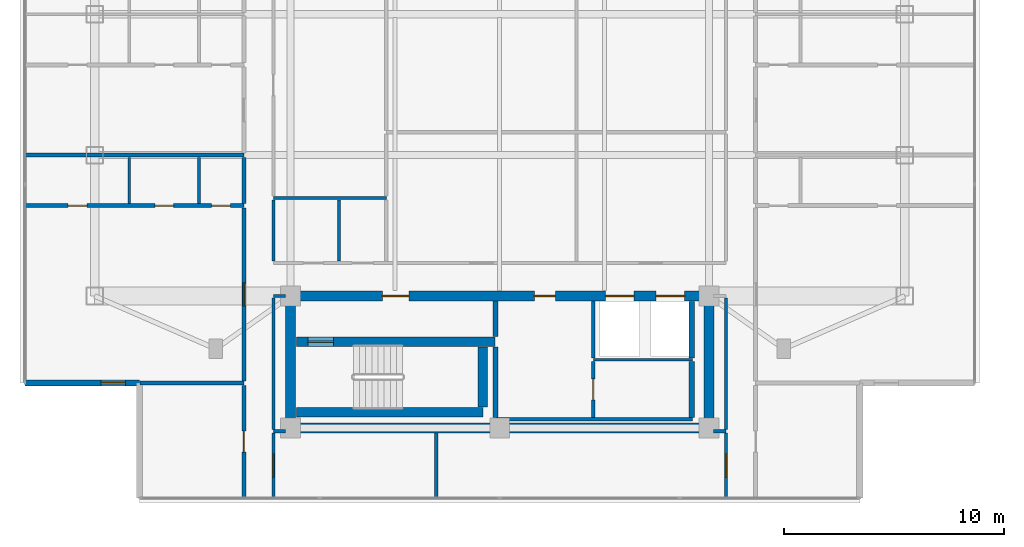
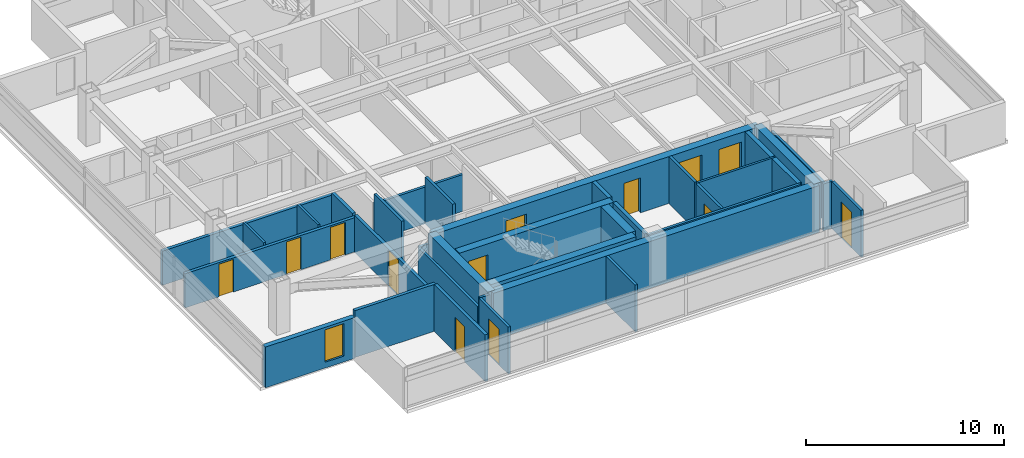
# One storey, part 10 of 17: 35 walls, 13 doors, 1 window, 14 openings.
"""IFC4 building model written with IfcOpenShell, lengths in metres."""

from ifc_helpers import new_model, si_unit, direction, frame, frame_2d, origin, place, context, subcontext, project, spatial, rectangle, extrude, material, layer, layer_set, type_object, element, fill, save


model = new_model("IFC4")

# Units and contexts
model_context = context("Model", 3, precision=1e-05, world=origin(), true_north=direction((0.0, 1.0)))
body_context = subcontext(model_context, "Body", "Model", "MODEL_VIEW")
ifc_project = project(units=[si_unit("LENGTHUNIT", "METRE"), si_unit("AREAUNIT", "SQUARE_METRE"), si_unit("VOLUMEUNIT", "CUBIC_METRE"), si_unit("PLANEANGLEUNIT", "RADIAN"), si_unit("MASSUNIT", "GRAM", prefix="KILO")], contexts=[model_context])

# Site, building, storey
site_placement = place(None, origin())
site = spatial("IfcSite", under=ifc_project, at=site_placement, CompositionType="ELEMENT")
building_placement = place(site_placement, origin())
building = spatial("IfcBuilding", under=site, at=building_placement, Name="Mirazonda Arch Towers", CompositionType="ELEMENT")
storey_placement = place(building_placement, frame((0.0, 0.0, 209.64990234375)))
storey = spatial("IfcBuildingStorey", under=building, at=storey_placement, Name="L60", CompositionType="ELEMENT", Elevation=209.64990234375)

# Walls
ifc_material_1 = material(Name="Concrete C50/60", Category="concrete")
ifc_layer_1 = layer(ifc_material_1, 0.449951171875, Name="WALL-CORE-450")
ifc_layer_set_1 = layer_set([ifc_layer_1], Name="Concrete C50/60")
wall_type_1 = type_object("IfcWallType", Name="WALL-CORE-450", PredefinedType="SHEAR", material=ifc_layer_set_1)
wall_1_placement = place(storey_placement, frame((11.0, 12.39990234375, 0.0), z_axis=(0.0, 0.0, 1.0), x_axis=(1.0, 0.0, 0.0)))
element("IfcWall", 1, at=wall_1_placement, inside=storey, type_object=wall_type_1, Name="L60 T1S-S Core Shear Wall", PredefinedType="SHEAR", context=body_context, shape_type="SweptSolid", body=[
    extrude(rectangle(XDim=19.0, YDim=0.449951171875, at=frame_2d((9.5, 0.0))), origin(), (0.0, 0.0, 1.0), 2.89013671875),
])
for number, where, z_axis, x_axis, name in (
    (2, (11.0, 12.39990234375, 0.0), (0.0, 0.0, 1.0), (0.0, 1.0, 0.0), "L60 T1S-W Core Shear Wall"),
    (3, (30.0, 12.39990234375, 0.0), (0.0, 0.0, 1.0), (0.0, 1.0, 0.0), "L60 T1S-E Core Shear Wall"),
):
    element("IfcWall", number, at=place(storey_placement, frame(where, z_axis=z_axis, x_axis=x_axis)), inside=storey, type_object=wall_type_1, Name=name, PredefinedType="SHEAR", context=body_context, shape_type="SweptSolid", body=[
        extrude(rectangle(XDim=6.0, YDim=0.449951171875, at=frame_2d((3.0, 0.0))), origin(), (0.0, 0.0, 1.0), 2.89013671875),
    ])

# Wall, openings, doors
wall_2_placement = place(storey_placement, frame((11.0, 18.39990234375, 0.0), z_axis=(0.0, 0.0, 1.0), x_axis=(1.0, 0.0, 0.0)))
wall_2 = element("IfcWall", 4, at=wall_2_placement, inside=storey, type_object=wall_type_1, Name="L60 T1S-N Core Shear Wall", PredefinedType="SHEAR", context=body_context, shape_type="SweptSolid", body=[
    extrude(rectangle(XDim=19.0, YDim=0.449951171875, at=frame_2d((9.5, 0.0))), origin(), (0.0, 0.0, 1.0), 2.89013671875),
])
opening_1_placement = place(wall_2_placement, frame((4.175048828125, 0.0, 0.0)))
opening_1 = element("IfcOpeningElement", 5, at=opening_1_placement, cuts=wall_2, Name="Opening DR-117", PredefinedType="OPENING", context=body_context, shape_type="SweptSolid", body=[
    extrude(rectangle(XDim=1.199951171875, YDim=2.25, at=frame_2d((0.60009765625, 1.125))), frame((0.0, 0.23486328125, 0.0), z_axis=(0.0, -1.0, 0.0), x_axis=(1.0, 0.0, 0.0)), (0.0, 0.0, 1.0), 0.469970703125),
])
opening_2_placement = place(wall_2_placement, frame((11.074951171875, 0.0, 0.0)))
opening_2 = element("IfcOpeningElement", 6, at=opening_2_placement, cuts=wall_2, Name="Opening DR-104", PredefinedType="OPENING", context=body_context, shape_type="SweptSolid", body=[
    extrude(rectangle(XDim=0.949951171875, YDim=2.14990234375, at=frame_2d((0.47509765625, 1.074951171875))), frame((0.0, 0.23486328125, 0.0), z_axis=(0.0, -1.0, 0.0), x_axis=(1.0, 0.0, 0.0)), (0.0, 0.0, 1.0), 0.469970703125),
])
opening_3_placement = place(wall_2_placement, frame((14.300048828125, 0.0, 0.0)))
opening_3 = element("IfcOpeningElement", 7, at=opening_3_placement, cuts=wall_2, Name="Opening LD-111", PredefinedType="OPENING", context=body_context, shape_type="SweptSolid", body=[
    extrude(rectangle(XDim=1.300048828125, YDim=2.300048828125, at=frame_2d((0.64990234375, 1.14990234375))), frame((0.0, 0.23486328125, 0.0), z_axis=(0.0, -1.0, 0.0), x_axis=(1.0, 0.0, 0.0)), (0.0, 0.0, 1.0), 0.469970703125),
])
opening_4_placement = place(wall_2_placement, frame((16.60009765625, 0.0, 0.0)))
opening_4 = element("IfcOpeningElement", 8, at=opening_4_placement, cuts=wall_2, Name="Opening LD-111", PredefinedType="OPENING", context=body_context, shape_type="SweptSolid", body=[
    extrude(rectangle(XDim=1.300048828125, YDim=2.300048828125, at=frame_2d((0.64990234375, 1.14990234375))), frame((0.0, 0.23486328125, 0.0), z_axis=(0.0, -1.0, 0.0), x_axis=(1.0, 0.0, 0.0)), (0.0, 0.0, 1.0), 0.469970703125),
])
ifc_material_2 = material(Name="Architectural Brushed Steel S355", Category="steel")
door_type_1 = type_object("IfcDoorType", Name="DOOR-FFL-FD90-1200", OperationType="NOTDEFINED", PredefinedType="DOOR", material=ifc_material_2)
door_1_placement = place(opening_1_placement, origin())
door_1 = element("IfcDoor", 9, at=door_1_placement, inside=storey, type_object=door_type_1, Name="L60 South Core Stair & Lift Lobby Door", OperationType="SINGLE_SWING_RIGHT", OverallHeight=2.25, OverallWidth=1.199951171875, PredefinedType="DOOR", context=body_context, shape_type="SweptSolid", body=[
    extrude(rectangle(XDim=1.199951171875, YDim=2.25, at=frame_2d((0.60009765625, 1.125))), frame((0.0, 0.02490234375, 0.0), z_axis=(0.0, -1.0, 0.0), x_axis=(1.0, 0.0, 0.0)), (0.0, 0.0, 1.0), 0.050048828125),
])
fill(opening_1, door_1)
door_type_2 = type_object("IfcDoorType", Name="DOOR-LIFT-LAND-1300", OperationType="NOTDEFINED", PredefinedType="DOOR", material=ifc_material_2)
door_2_placement = place(opening_3_placement, origin())
door_2 = element("IfcDoor", 10, at=door_2_placement, inside=storey, type_object=door_type_2, Name="L60 Lift Landing Sliding Door PL-T1H1", OperationType="DOUBLE_DOOR_SLIDING", OverallHeight=2.300048828125, OverallWidth=1.300048828125, PredefinedType="DOOR", context=body_context, shape_type="SweptSolid", body=[
    extrude(rectangle(XDim=1.300048828125, YDim=2.300048828125, at=frame_2d((0.64990234375, 1.14990234375))), frame((0.0, 0.02490234375, 0.0), z_axis=(0.0, -1.0, 0.0), x_axis=(1.0, 0.0, 0.0)), (0.0, 0.0, 1.0), 0.050048828125),
])
fill(opening_3, door_2)
door_3_placement = place(opening_4_placement, origin())
door_3 = element("IfcDoor", 11, at=door_3_placement, inside=storey, type_object=door_type_2, Name="L60 Lift Landing Sliding Door PL-T1H2", OperationType="DOUBLE_DOOR_SLIDING", OverallHeight=2.300048828125, OverallWidth=1.300048828125, PredefinedType="DOOR", context=body_context, shape_type="SweptSolid", body=[
    extrude(rectangle(XDim=1.300048828125, YDim=2.300048828125, at=frame_2d((0.64990234375, 1.14990234375))), frame((0.0, 0.02490234375, 0.0), z_axis=(0.0, -1.0, 0.0), x_axis=(1.0, 0.0, 0.0)), (0.0, 0.0, 1.0), 0.050048828125),
])
fill(opening_4, door_3)
door_type_3 = type_object("IfcDoorType", Name="DOOR-ROOM-950", OperationType="NOTDEFINED", PredefinedType="DOOR", material=ifc_material_2)
door_4_placement = place(opening_2_placement, origin())
door_4 = element("IfcDoor", 12, at=door_4_placement, inside=storey, type_object=door_type_3, Name="L60 Residents Wine Tasting Lounge Door", OperationType="SINGLE_SWING_RIGHT", OverallHeight=2.14990234375, OverallWidth=0.949951171875, PredefinedType="DOOR", context=body_context, shape_type="SweptSolid", body=[
    extrude(rectangle(XDim=0.949951171875, YDim=2.14990234375, at=frame_2d((0.47509765625, 1.074951171875))), frame((0.0, 0.02490234375, 0.0), z_axis=(0.0, -1.0, 0.0), x_axis=(1.0, 0.0, 0.0)), (0.0, 0.0, 1.0), 0.050048828125),
])
fill(opening_2, door_4)

# Wall
wall_3_placement = place(storey_placement, frame((11.27001953125, 13.1201171875, 0.0), z_axis=(0.0, 0.0, 1.0), x_axis=(1.0, 0.0, 0.0)))
element("IfcWall", 13, at=wall_3_placement, inside=storey, type_object=wall_type_1, Name="L60 Stair Core Shear Wall 004", PredefinedType="SHEAR", context=body_context, shape_type="SweptSolid", body=[
    extrude(rectangle(XDim=8.4599609375, YDim=0.449951171875, at=frame_2d((4.22998046875, 0.0))), origin(), (0.0, 0.0, 1.0), 2.89013671875),
])

# Wall, opening, door
wall_4_placement = place(storey_placement, frame((11.27001953125, 16.320068359375, 0.0), z_axis=(0.0, 0.0, 1.0), x_axis=(1.0, 0.0, 0.0)))
wall_4 = element("IfcWall", 14, at=wall_4_placement, inside=storey, type_object=wall_type_1, Name="L60 Stair Core Shear Wall 009", PredefinedType="SHEAR", context=body_context, shape_type="SweptSolid", body=[
    extrude(rectangle(XDim=9.010009765625, YDim=0.449951171875, at=frame_2d((4.5048828125, 0.0))), origin(), (0.0, 0.0, 1.0), 2.89013671875),
])
opening_5_placement = place(wall_4_placement, frame((0.52001953125, 0.0, 0.0)))
opening_5 = element("IfcOpeningElement", 15, at=opening_5_placement, cuts=wall_4, Name="Opening DR-135", PredefinedType="OPENING", context=body_context, shape_type="SweptSolid", body=[
    extrude(rectangle(XDim=1.14990234375, YDim=2.199951171875, at=frame_2d((0.574951171875, 1.10009765625))), frame((0.0, 0.23486328125, 0.0), z_axis=(0.0, -1.0, 0.0), x_axis=(1.0, 0.0, 0.0)), (0.0, 0.0, 1.0), 0.469970703125),
])
door_type_4 = type_object("IfcDoorType", Name="DOOR-STAIR-FD90-1150", OperationType="NOTDEFINED", PredefinedType="DOOR", material=ifc_material_2)
door_5_placement = place(opening_5_placement, origin())
door_5 = element("IfcDoor", 16, at=door_5_placement, inside=storey, type_object=door_type_4, Name="L60 Protected Exit Stair South Door", OperationType="SINGLE_SWING_LEFT", OverallHeight=2.199951171875, OverallWidth=1.14990234375, PredefinedType="DOOR", context=body_context, shape_type="SweptSolid", body=[
    extrude(rectangle(XDim=1.14990234375, YDim=2.199951171875, at=frame_2d((0.574951171875, 1.10009765625))), frame((0.0, 0.02490234375, 0.0), z_axis=(0.0, -1.0, 0.0), x_axis=(1.0, 0.0, 0.0)), (0.0, 0.0, 1.0), 0.050048828125),
])
fill(opening_5, door_5)

# Wall
wall_5_placement = place(storey_placement, frame((19.72998046875, 13.35498046875, 0.0), z_axis=(0.0, 0.0, 1.0), x_axis=(0.0, 1.0, 0.0)))
element("IfcWall", 17, at=wall_5_placement, inside=storey, type_object=wall_type_1, Name="L60 Stair Core Shear Wall 067", PredefinedType="SHEAR", context=body_context, shape_type="SweptSolid", body=[
    extrude(rectangle(XDim=2.72998046875, YDim=0.449951171875, at=frame_2d((1.364990234375, 0.0))), origin(), (0.0, 0.0, 1.0), 2.89013671875),
])

# Wall, opening, window
ifc_material_3 = material(Name="Precast Concrete C40/50", Category="concrete")
ifc_layer_2 = layer(ifc_material_3, 0.280029296875, Name="WALL-EXT-WALL-280")
ifc_layer_set_2 = layer_set([ifc_layer_2], Name="Precast Concrete C40/50")
wall_type_2 = type_object("IfcWallType", Name="WALL-EXT-WALL-280", PredefinedType="SOLIDWALL", material=ifc_layer_set_2)
wall_6_placement = place(storey_placement, frame((-1.070068359375, 14.44091796875, 0.0), z_axis=(0.0, 0.0, 1.0), x_axis=(1.0, 0.0, 0.0)))
wall_6 = element("IfcWall", 18, at=wall_6_placement, inside=storey, type_object=wall_type_2, Name="L60 T1 Corner Notch Return Wall WL-L60-T1-CSW2", PredefinedType="SOLIDWALL", context=body_context, shape_type="SweptSolid", body=[
    extrude(rectangle(XDim=5.215087890625, YDim=0.280029296875, at=frame_2d((2.607421875, 0.0))), origin(), (0.0, 0.0, 1.0), 2.510009765625),
])
opening_6_placement = place(wall_6_placement, frame((3.465087890625, 0.0, 0.360107421875)))
opening_6 = element("IfcOpeningElement", 19, at=opening_6_placement, cuts=wall_6, Name="Opening WN-108", PredefinedType="OPENING", context=body_context, shape_type="SweptSolid", body=[
    extrude(rectangle(XDim=1.10009765625, YDim=2.0, at=frame_2d((0.550048828125, 1.0))), frame((0.0, 0.14990234375, 0.0), z_axis=(0.0, -1.0, 0.0), x_axis=(1.0, 0.0, 0.0)), (0.0, 0.0, 1.0), 0.300048828125),
])
ifc_material_4 = material(Name="Insulated Low-E Solar Glass", Category="glass")
window_type = type_object("IfcWindowType", Name="WIN-NOTCH-1100x2000", PartitioningType="SINGLE_PANEL", PredefinedType="WINDOW", material=ifc_material_4)
window_placement = place(opening_6_placement, origin())
window = element("IfcWindow", 20, at=window_placement, inside=storey, type_object=window_type, Name="L60 Punched Facade Window WN-L60-T1-CSW2", OverallHeight=2.0, OverallWidth=1.10009765625, PartitioningType="SINGLE_PANEL", PredefinedType="WINDOW", context=body_context, shape_type="SweptSolid", body=[
    extrude(rectangle(XDim=1.10009765625, YDim=2.0, at=frame_2d((0.550048828125, 1.0))), frame((0.0, 0.030029296875, 0.0), z_axis=(0.0, -1.0, 0.0), x_axis=(1.0, 0.0, 0.0)), (0.0, 0.0, 1.0), 0.06005859375),
])
fill(opening_6, window)

# Walls
ifc_material_5 = material(Name="Concrete C40/50", Category="concrete")
ifc_layer_3 = layer(ifc_material_5, 0.219970703125, Name="WALL-FFL-220")
ifc_layer_set_3 = layer_set([ifc_layer_3], Name="Concrete C40/50")
wall_type_3 = type_object("IfcWallType", Name="WALL-FFL-220", PredefinedType="SOLIDWALL", material=ifc_layer_set_3)
wall_7_placement = place(storey_placement, frame((20.31494140625, 12.885009765625, 0.0), z_axis=(0.0, 0.0, 1.0), x_axis=(0.0, 1.0, 0.0)))
element("IfcWall", 21, at=wall_7_placement, inside=storey, type_object=wall_type_3, Name="L60 Interior Partition 069", PredefinedType="SOLIDWALL", context=body_context, shape_type="SweptSolid", body=[
    extrude(rectangle(XDim=3.199951171875, YDim=0.219970703125, at=frame_2d((1.60009765625, 0.0))), origin(), (0.0, 0.0, 1.0), 2.89013671875),
])
wall_8_placement = place(storey_placement, frame((20.31494140625, 16.554931640625, 0.0), z_axis=(0.0, 0.0, 1.0), x_axis=(0.0, 1.0, 0.0)))
element("IfcWall", 22, at=wall_8_placement, inside=storey, type_object=wall_type_3, Name="L60 Interior Partition 070", PredefinedType="SOLIDWALL", context=body_context, shape_type="SweptSolid", body=[
    extrude(rectangle(XDim=1.625, YDim=0.219970703125, at=frame_2d((0.8125, 0.0))), origin(), (0.0, 0.0, 1.0), 2.89013671875),
])
ifc_material_6 = material(Name="Fire-Rated Gypsum Stud Partition")
ifc_layer_4 = layer(ifc_material_6, 0.14990234375, Name="WALL-PART-CORR-150")
ifc_layer_set_4 = layer_set([ifc_layer_4], Name="Fire-Rated Gypsum Stud Partition")
wall_type_4 = type_object("IfcWallType", Name="WALL-PART-CORR-150", PredefinedType="PARTITIONING", material=ifc_layer_set_4)
for number, where, z_axis, x_axis, name in (
    (23, (10.219970703125, 12.25, 0.0), (0.0, 0.0, 1.0), (1.0, 0.0, 0.0), "L60 Interior Partition 001"),
    (24, (30.219970703125, 12.25, 0.0), (0.0, 0.0, 1.0), (1.0, 0.0, 0.0), "L60 Interior Partition 002"),
):
    element("IfcWall", number, at=place(storey_placement, frame(where, z_axis=z_axis, x_axis=x_axis)), inside=storey, type_object=wall_type_4, Name=name, PredefinedType="PARTITIONING", context=body_context, shape_type="SweptSolid", body=[
        extrude(rectangle(XDim=0.56005859375, YDim=0.14990234375, at=frame_2d((0.280029296875, 0.0))), origin(), (0.0, 0.0, 1.0), 2.89013671875),
    ])
wall_9_placement = place(storey_placement, frame((20.35009765625, 12.800048828125, 0.0), z_axis=(0.0, 0.0, 1.0), x_axis=(1.0, 0.0, 0.0)))
element("IfcWall", 25, at=wall_9_placement, inside=storey, type_object=wall_type_4, Name="L60 Interior Partition 003", PredefinedType="PARTITIONING", context=body_context, shape_type="SweptSolid", body=[
    extrude(rectangle(XDim=8.89990234375, YDim=0.14990234375, at=frame_2d((4.449951171875, 0.0))), origin(), (0.0, 0.0, 1.0), 2.89013671875),
])
wall_10_placement = place(storey_placement, frame((10.219970703125, 18.39990234375, 0.0), z_axis=(0.0, 0.0, 1.0), x_axis=(1.0, 0.0, 0.0)))
element("IfcWall", 26, at=wall_10_placement, inside=storey, type_object=wall_type_4, Name="L60 Interior Partition 010", PredefinedType="PARTITIONING", context=body_context, shape_type="SweptSolid", body=[
    extrude(rectangle(XDim=0.56005859375, YDim=0.14990234375, at=frame_2d((0.280029296875, 0.0))), origin(), (0.0, 0.0, 1.0), 2.281982421875),
])
wall_11_placement = place(storey_placement, frame((10.219970703125, 22.85009765625, 0.0), z_axis=(0.0, 0.0, 1.0), x_axis=(1.0, 0.0, 0.0)))
element("IfcWall", 27, at=wall_11_placement, inside=storey, type_object=wall_type_4, Name="L60 Interior Partition 017", PredefinedType="PARTITIONING", context=body_context, shape_type="SweptSolid", body=[
    extrude(rectangle(XDim=5.130126953125, YDim=0.14990234375, at=frame_2d((2.56494140625, 0.0))), origin(), (0.0, 0.0, 1.0), 2.26611328125),
])

# Wall, opening, door
wall_12_placement = place(storey_placement, frame((10.219970703125, 9.22607421875, 0.0), z_axis=(0.0, 0.0, 1.0), x_axis=(0.0, 1.0, 0.0)))
wall_12 = element("IfcWall", 28, at=wall_12_placement, inside=storey, type_object=wall_type_4, Name="L60 Interior Partition 053", PredefinedType="PARTITIONING", context=body_context, shape_type="SweptSolid", body=[
    extrude(rectangle(XDim=2.93896484375, YDim=0.14990234375, at=frame_2d((1.469482421875, 0.0))), origin(), (0.0, 0.0, 1.0), 2.89013671875),
])
opening_7_placement = place(wall_12_placement, frame((0.944580078125, 0.0, 0.0)))
opening_7 = element("IfcOpeningElement", 29, at=opening_7_placement, cuts=wall_12, Name="Opening DR-121", PredefinedType="OPENING", context=body_context, shape_type="SweptSolid", body=[
    extrude(rectangle(XDim=1.050048828125, YDim=2.199951171875, at=frame_2d((0.52490234375, 1.10009765625))), frame((0.0, 0.0849609375, 0.0), z_axis=(0.0, -1.0, 0.0), x_axis=(1.0, 0.0, 0.0)), (0.0, 0.0, 1.0), 0.169921875),
])
door_type_5 = type_object("IfcDoorType", Name="DOOR-SUITE-FD60-1050", OperationType="NOTDEFINED", PredefinedType="DOOR", material=ifc_material_2)
door_6_placement = place(opening_7_placement, origin())
door_6 = element("IfcDoor", 30, at=door_6_placement, inside=storey, type_object=door_type_5, Name="L60 South Panoramic Study Minor Door", OperationType="SINGLE_SWING_RIGHT", OverallHeight=2.199951171875, OverallWidth=1.050048828125, PredefinedType="DOOR", context=body_context, shape_type="SweptSolid", body=[
    extrude(rectangle(XDim=1.050048828125, YDim=2.199951171875, at=frame_2d((0.52490234375, 1.10009765625))), frame((0.0, 0.02490234375, 0.0), z_axis=(0.0, -1.0, 0.0), x_axis=(1.0, 0.0, 0.0)), (0.0, 0.0, 1.0), 0.050048828125),
])
fill(opening_7, door_6)

# Walls
wall_13_placement = place(storey_placement, frame((10.219970703125, 12.3349609375, 0.0), z_axis=(0.0, 0.0, 1.0), x_axis=(0.0, 1.0, 0.0)))
element("IfcWall", 31, at=wall_13_placement, inside=storey, type_object=wall_type_4, Name="L60 Interior Partition 054", PredefinedType="PARTITIONING", context=body_context, shape_type="SweptSolid", body=[
    extrude(rectangle(XDim=5.97998046875, YDim=0.14990234375, at=frame_2d((2.989990234375, 0.0))), origin(), (0.0, 0.0, 1.0), 2.281982421875),
])
for number, where, z_axis, x_axis, name in (
    (32, (10.219970703125, 19.985107421875, 0.0), (0.0, 0.0, 1.0), (0.0, 1.0, 0.0), "L60 Interior Partition 055"),
    (33, (13.199951171875, 19.985107421875, 0.0), (0.0, 0.0, 1.0), (0.0, 1.0, 0.0), "L60 Interior Partition 060"),
):
    element("IfcWall", number, at=place(storey_placement, frame(where, z_axis=z_axis, x_axis=x_axis)), inside=storey, type_object=wall_type_4, Name=name, PredefinedType="PARTITIONING", context=body_context, shape_type="SweptSolid", body=[
        extrude(rectangle(XDim=2.77978515625, YDim=0.14990234375, at=frame_2d((1.389892578125, 0.0))), origin(), (0.0, 0.0, 1.0), 2.89013671875),
    ])
wall_14_placement = place(storey_placement, frame((17.6220703125, 9.22607421875, 0.0), z_axis=(0.0, 0.0, 1.0), x_axis=(0.0, 1.0, 0.0)))
element("IfcWall", 34, at=wall_14_placement, inside=storey, type_object=wall_type_4, Name="L60 Interior Partition 065", PredefinedType="PARTITIONING", context=body_context, shape_type="SweptSolid", body=[
    extrude(rectangle(XDim=2.953857421875, YDim=0.14990234375, at=frame_2d((1.47705078125, 0.0))), origin(), (0.0, 0.0, 1.0), 2.89013671875),
])

# Wall, opening, door
wall_15_placement = place(storey_placement, frame((24.75, 12.885009765625, 0.0), z_axis=(0.0, 0.0, 1.0), x_axis=(0.0, 1.0, 0.0)))
wall_15 = element("IfcWall", 35, at=wall_15_placement, inside=storey, type_object=wall_type_4, Name="L60 Interior Partition 074", PredefinedType="PARTITIONING", context=body_context, shape_type="SweptSolid", body=[
    extrude(rectangle(XDim=2.54248046875, YDim=0.14990234375, at=frame_2d((1.271240234375, 0.0))), origin(), (0.0, 0.0, 1.0), 2.89013671875),
])
opening_8_placement = place(wall_15_placement, frame((0.79638671875, 0.0, 0.0)))
opening_8 = element("IfcOpeningElement", 36, at=opening_8_placement, cuts=wall_15, Name="Opening DR-104", PredefinedType="OPENING", context=body_context, shape_type="SweptSolid", body=[
    extrude(rectangle(XDim=0.949951171875, YDim=2.14990234375, at=frame_2d((0.47509765625, 1.074951171875))), frame((0.0, 0.0849609375, 0.0), z_axis=(0.0, -1.0, 0.0), x_axis=(1.0, 0.0, 0.0)), (0.0, 0.0, 1.0), 0.169921875),
])
door_7_placement = place(opening_8_placement, origin())
door_7 = element("IfcDoor", 37, at=door_7_placement, inside=storey, type_object=door_type_3, Name="L60 Residents Private Archive Study Door", OperationType="SINGLE_SWING_LEFT", OverallHeight=2.14990234375, OverallWidth=0.949951171875, PredefinedType="DOOR", context=body_context, shape_type="SweptSolid", body=[
    extrude(rectangle(XDim=0.949951171875, YDim=2.14990234375, at=frame_2d((0.47509765625, 1.074951171875))), frame((0.0, 0.02490234375, 0.0), z_axis=(0.0, -1.0, 0.0), x_axis=(1.0, 0.0, 0.0)), (0.0, 0.0, 1.0), 0.050048828125),
])
fill(opening_8, door_7)

# Wall
wall_16_placement = place(storey_placement, frame((24.75, 15.572509765625, 0.0), z_axis=(0.0, 0.0, 1.0), x_axis=(0.0, 1.0, 0.0)))
element("IfcWall", 38, at=wall_16_placement, inside=storey, type_object=wall_type_4, Name="L60 Interior Partition 075", PredefinedType="PARTITIONING", context=body_context, shape_type="SweptSolid", body=[
    extrude(rectangle(XDim=2.607421875, YDim=0.14990234375, at=frame_2d((1.3037109375, 0.0))), origin(), (0.0, 0.0, 1.0), 2.89013671875),
])

# Wall, opening, door
wall_17_placement = place(storey_placement, frame((30.780029296875, 9.22607421875, 0.0), z_axis=(0.0, 0.0, 1.0), x_axis=(0.0, 1.0, 0.0)))
wall_17 = element("IfcWall", 39, at=wall_17_placement, inside=storey, type_object=wall_type_4, Name="L60 Interior Partition 085", PredefinedType="PARTITIONING", context=body_context, shape_type="SweptSolid", body=[
    extrude(rectangle(XDim=2.93896484375, YDim=0.14990234375, at=frame_2d((1.469482421875, 0.0))), origin(), (0.0, 0.0, 1.0), 2.89013671875),
])
opening_9_placement = place(wall_17_placement, frame((0.944580078125, 0.0, 0.0)))
opening_9 = element("IfcOpeningElement", 40, at=opening_9_placement, cuts=wall_17, Name="Opening DR-121", PredefinedType="OPENING", context=body_context, shape_type="SweptSolid", body=[
    extrude(rectangle(XDim=1.050048828125, YDim=2.199951171875, at=frame_2d((0.52490234375, 1.10009765625))), frame((0.0, 0.0849609375, 0.0), z_axis=(0.0, -1.0, 0.0), x_axis=(1.0, 0.0, 0.0)), (0.0, 0.0, 1.0), 0.169921875),
])
door_8_placement = place(opening_9_placement, origin())
door_8 = element("IfcDoor", 41, at=door_8_placement, inside=storey, type_object=door_type_5, Name="L60 South Panoramic Study Grand Door", OperationType="SINGLE_SWING_LEFT", OverallHeight=2.199951171875, OverallWidth=1.050048828125, PredefinedType="DOOR", context=body_context, shape_type="SweptSolid", body=[
    extrude(rectangle(XDim=1.050048828125, YDim=2.199951171875, at=frame_2d((0.52490234375, 1.10009765625))), frame((0.0, 0.02490234375, 0.0), z_axis=(0.0, -1.0, 0.0), x_axis=(1.0, 0.0, 0.0)), (0.0, 0.0, 1.0), 0.050048828125),
])
fill(opening_9, door_8)

# Walls
wall_18_placement = place(storey_placement, frame((30.780029296875, 12.3349609375, 0.0), z_axis=(0.0, 0.0, 1.0), x_axis=(0.0, 1.0, 0.0)))
element("IfcWall", 42, at=wall_18_placement, inside=storey, type_object=wall_type_4, Name="L60 Interior Partition 086", PredefinedType="PARTITIONING", context=body_context, shape_type="SweptSolid", body=[
    extrude(rectangle(XDim=5.97998046875, YDim=0.14990234375, at=frame_2d((2.989990234375, 0.0))), origin(), (0.0, 0.0, 1.0), 2.281982421875),
])
ifc_material_7 = material(Name="Fire-Rated Gypsum Twin-Stud Assembly")
ifc_layer_5 = layer(ifc_material_7, 0.179931640625, Name="WALL-PART-DEMISE-180")
ifc_layer_set_5 = layer_set([ifc_layer_5], Name="Fire-Rated Gypsum Twin-Stud Assembly")
wall_type_5 = type_object("IfcWallType", Name="WALL-PART-DEMISE-180", PredefinedType="PARTITIONING", material=ifc_layer_set_5)
wall_19_placement = place(storey_placement, frame((4.1650390625, 14.44091796875, 0.0), z_axis=(0.0, 0.0, 1.0), x_axis=(1.0, 0.0, 0.0)))
element("IfcWall", 43, at=wall_19_placement, inside=storey, type_object=wall_type_5, Name="L60 Interior Partition 005", PredefinedType="PARTITIONING", context=body_context, shape_type="SweptSolid", body=[
    extrude(rectangle(XDim=4.71484375, YDim=0.179931640625, at=frame_2d((2.357421875, 0.0))), origin(), (0.0, 0.0, 1.0), 2.89013671875),
])

# Wall, openings, doors
wall_20_placement = place(storey_placement, frame((-1.070068359375, 22.5, 0.0), z_axis=(0.0, 0.0, 1.0), x_axis=(1.0, 0.0, 0.0)))
wall_20 = element("IfcWall", 44, at=wall_20_placement, inside=storey, type_object=wall_type_5, Name="L60 Interior Partition 015", PredefinedType="PARTITIONING", context=body_context, shape_type="SweptSolid", body=[
    extrude(rectangle(XDim=9.949951171875, YDim=0.179931640625, at=frame_2d((4.97509765625, 0.0))), origin(), (0.0, 0.0, 1.0), 2.109130859375),
])
opening_10_placement = place(wall_20_placement, frame((1.968017578125, 0.0, 0.0)))
opening_10 = element("IfcOpeningElement", 45, at=opening_10_placement, cuts=wall_20, Name="Opening DR-128", PredefinedType="OPENING", context=body_context, shape_type="SweptSolid", body=[
    extrude(rectangle(XDim=0.85009765625, YDim=2.010009765625, at=frame_2d((0.425048828125, 1.0048828125))), frame((0.0, 0.099853515625, 0.0), z_axis=(0.0, -1.0, 0.0), x_axis=(1.0, 0.0, 0.0)), (0.0, 0.0, 1.0), 0.199951171875),
])
opening_11_placement = place(wall_20_placement, frame((5.903076171875, 0.0, 0.0)))
opening_11 = element("IfcOpeningElement", 46, at=opening_11_placement, cuts=wall_20, Name="Opening DR-128", PredefinedType="OPENING", context=body_context, shape_type="SweptSolid", body=[
    extrude(rectangle(XDim=0.85009765625, YDim=2.010009765625, at=frame_2d((0.425048828125, 1.0048828125))), frame((0.0, 0.099853515625, 0.0), z_axis=(0.0, -1.0, 0.0), x_axis=(1.0, 0.0, 0.0)), (0.0, 0.0, 1.0), 0.199951171875),
])
opening_12_placement = place(wall_20_placement, frame((8.485107421875, 0.0, 0.0)))
opening_12 = element("IfcOpeningElement", 47, at=opening_12_placement, cuts=wall_20, Name="Opening DR-128", PredefinedType="OPENING", context=body_context, shape_type="SweptSolid", body=[
    extrude(rectangle(XDim=0.85009765625, YDim=2.010009765625, at=frame_2d((0.425048828125, 1.0048828125))), frame((0.0, 0.099853515625, 0.0), z_axis=(0.0, -1.0, 0.0), x_axis=(1.0, 0.0, 0.0)), (0.0, 0.0, 1.0), 0.199951171875),
])
door_type_6 = type_object("IfcDoorType", Name="DOOR-RISER-FD60-850", OperationType="NOTDEFINED", PredefinedType="DOOR", material=ifc_material_2)
door_9_placement = place(opening_10_placement, origin())
door_9 = element("IfcDoor", 48, at=door_9_placement, inside=storey, type_object=door_type_6, Name="L60 Residence 1 Principal Bedroom Door", OperationType="SINGLE_SWING_RIGHT", OverallHeight=2.010009765625, OverallWidth=0.85009765625, PredefinedType="DOOR", context=body_context, shape_type="SweptSolid", body=[
    extrude(rectangle(XDim=0.85009765625, YDim=2.010009765625, at=frame_2d((0.425048828125, 1.0048828125))), frame((0.0, 0.02490234375, 0.0), z_axis=(0.0, -1.0, 0.0), x_axis=(1.0, 0.0, 0.0)), (0.0, 0.0, 1.0), 0.050048828125),
])
fill(opening_10, door_9)
door_10_placement = place(opening_11_placement, origin())
door_10 = element("IfcDoor", 49, at=door_10_placement, inside=storey, type_object=door_type_6, Name="L60 Residence 1 Fitted Kitchen Door", OperationType="SINGLE_SWING_LEFT", OverallHeight=2.010009765625, OverallWidth=0.85009765625, PredefinedType="DOOR", context=body_context, shape_type="SweptSolid", body=[
    extrude(rectangle(XDim=0.85009765625, YDim=2.010009765625, at=frame_2d((0.425048828125, 1.0048828125))), frame((0.0, 0.02490234375, 0.0), z_axis=(0.0, -1.0, 0.0), x_axis=(1.0, 0.0, 0.0)), (0.0, 0.0, 1.0), 0.050048828125),
])
fill(opening_11, door_10)
door_11_placement = place(opening_12_placement, origin())
door_11 = element("IfcDoor", 50, at=door_11_placement, inside=storey, type_object=door_type_6, Name="L60 Residence 1 Bathroom Door", OperationType="SINGLE_SWING_RIGHT", OverallHeight=2.010009765625, OverallWidth=0.85009765625, PredefinedType="DOOR", context=body_context, shape_type="SweptSolid", body=[
    extrude(rectangle(XDim=0.85009765625, YDim=2.010009765625, at=frame_2d((0.425048828125, 1.0048828125))), frame((0.0, 0.02490234375, 0.0), z_axis=(0.0, -1.0, 0.0), x_axis=(1.0, 0.0, 0.0)), (0.0, 0.0, 1.0), 0.050048828125),
])
fill(opening_12, door_11)

# Wall
wall_21_placement = place(storey_placement, frame((-1.070068359375, 24.800048828125, 0.0), z_axis=(0.0, 0.0, 1.0), x_axis=(1.0, 0.0, 0.0)))
element("IfcWall", 51, at=wall_21_placement, inside=storey, type_object=wall_type_5, Name="L60 Interior Partition 018", PredefinedType="PARTITIONING", context=body_context, shape_type="SweptSolid", body=[
    extrude(rectangle(XDim=9.949951171875, YDim=0.179931640625, at=frame_2d((4.97509765625, 0.0))), origin(), (0.0, 0.0, 1.0), 2.109130859375),
])

# Wall, opening, door
wall_22_placement = place(storey_placement, frame((8.8798828125, 9.22607421875, 0.0), z_axis=(0.0, 0.0, 1.0), x_axis=(0.0, 1.0, 0.0)))
wall_22 = element("IfcWall", 52, at=wall_22_placement, inside=storey, type_object=wall_type_5, Name="L60 Interior Partition 045", PredefinedType="PARTITIONING", context=body_context, shape_type="SweptSolid", body=[
    extrude(rectangle(XDim=5.114990234375, YDim=0.179931640625, at=frame_2d((2.5576171875, 0.0))), origin(), (0.0, 0.0, 1.0), 2.89013671875),
])
opening_13_placement = place(wall_22_placement, frame((2.08251953125, 0.0, 0.0)))
opening_13 = element("IfcOpeningElement", 53, at=opening_13_placement, cuts=wall_22, Name="Opening DR-104", PredefinedType="OPENING", context=body_context, shape_type="SweptSolid", body=[
    extrude(rectangle(XDim=0.949951171875, YDim=2.14990234375, at=frame_2d((0.47509765625, 1.074951171875))), frame((0.0, 0.099853515625, 0.0), z_axis=(0.0, -1.0, 0.0), x_axis=(1.0, 0.0, 0.0)), (0.0, 0.0, 1.0), 0.199951171875),
])
door_12_placement = place(opening_13_placement, origin())
door_12 = element("IfcDoor", 54, at=door_12_placement, inside=storey, type_object=door_type_3, Name="L60 South Panoramic Study Alcove West Door", OperationType="SINGLE_SWING_RIGHT", OverallHeight=2.14990234375, OverallWidth=0.949951171875, PredefinedType="DOOR", context=body_context, shape_type="SweptSolid", body=[
    extrude(rectangle(XDim=0.949951171875, YDim=2.14990234375, at=frame_2d((0.47509765625, 1.074951171875))), frame((0.0, 0.02490234375, 0.0), z_axis=(0.0, -1.0, 0.0), x_axis=(1.0, 0.0, 0.0)), (0.0, 0.0, 1.0), 0.050048828125),
])
fill(opening_13, door_12)

wall_23_placement = place(storey_placement, frame((8.8798828125, 14.541015625, 0.0), z_axis=(0.0, 0.0, 1.0), x_axis=(0.0, 1.0, 0.0)))
wall_23 = element("IfcWall", 55, at=wall_23_placement, inside=storey, type_object=wall_type_5, Name="L60 Interior Partition 046", PredefinedType="PARTITIONING", context=body_context, shape_type="SweptSolid", body=[
    extrude(rectangle(XDim=7.85888671875, YDim=0.179931640625, at=frame_2d((3.929443359375, 0.0))), origin(), (0.0, 0.0, 1.0), 2.281982421875),
])
opening_14_placement = place(wall_23_placement, frame((3.404541015625, 0.0, 0.0)))
opening_14 = element("IfcOpeningElement", 56, at=opening_14_placement, cuts=wall_23, Name="Opening DR-121", PredefinedType="OPENING", context=body_context, shape_type="SweptSolid", body=[
    extrude(rectangle(XDim=1.050048828125, YDim=2.199951171875, at=frame_2d((0.52490234375, 1.10009765625))), frame((0.0, 0.099853515625, 0.0), z_axis=(0.0, -1.0, 0.0), x_axis=(1.0, 0.0, 0.0)), (0.0, 0.0, 1.0), 0.199951171875),
])
door_13_placement = place(opening_14_placement, origin())
door_13 = element("IfcDoor", 57, at=door_13_placement, inside=storey, type_object=door_type_5, Name="L60 Residence 1 Living & Dining Salon Door", OperationType="SINGLE_SWING_LEFT", OverallHeight=2.199951171875, OverallWidth=1.050048828125, PredefinedType="DOOR", context=body_context, shape_type="SweptSolid", body=[
    extrude(rectangle(XDim=1.050048828125, YDim=2.199951171875, at=frame_2d((0.52490234375, 1.10009765625))), frame((0.0, 0.02490234375, 0.0), z_axis=(0.0, -1.0, 0.0), x_axis=(1.0, 0.0, 0.0)), (0.0, 0.0, 1.0), 0.050048828125),
])
fill(opening_14, door_13)

# Walls
wall_24_placement = place(storey_placement, frame((8.8798828125, 22.60009765625, 0.0), z_axis=(0.0, 0.0, 1.0), x_axis=(0.0, 1.0, 0.0)))
element("IfcWall", 58, at=wall_24_placement, inside=storey, type_object=wall_type_5, Name="L60 Interior Partition 047", PredefinedType="PARTITIONING", context=body_context, shape_type="SweptSolid", body=[
    extrude(rectangle(XDim=2.099853515625, YDim=0.179931640625, at=frame_2d((1.0498046875, 0.0))), origin(), (0.0, 0.0, 1.0), 2.26611328125),
])
ifc_material_8 = material(Name="Acoustic Fire-Rated Gypsum Partition")
ifc_layer_6 = layer(ifc_material_8, 0.125, Name="WALL-PART-UNIT-125")
ifc_layer_set_6 = layer_set([ifc_layer_6], Name="Acoustic Fire-Rated Gypsum Partition")
wall_type_6 = type_object("IfcWallType", Name="WALL-PART-UNIT-125", PredefinedType="PARTITIONING", material=ifc_layer_set_6)
wall_25_placement = place(storey_placement, frame((24.75, 15.5, 0.0), z_axis=(0.0, 0.0, 1.0), x_axis=(1.0, 0.0, 0.0)))
element("IfcWall", 59, at=wall_25_placement, inside=storey, type_object=wall_type_6, Name="L60 Interior Partition 008", PredefinedType="PARTITIONING", context=body_context, shape_type="SweptSolid", body=[
    extrude(rectangle(XDim=4.5, YDim=0.125, at=frame_2d((2.25, 0.0))), origin(), (0.0, 0.0, 1.0), 2.89013671875),
])
for number, where, z_axis, x_axis, name in (
    (60, (3.676025390625, 22.60009765625, 0.0), (0.0, 0.0, 1.0), (0.0, 1.0, 0.0), "L60 Interior Partition 039"),
    (61, (6.840087890625, 22.60009765625, 0.0), (0.0, 0.0, 1.0), (0.0, 1.0, 0.0), "L60 Interior Partition 042"),
):
    element("IfcWall", number, at=place(storey_placement, frame(where, z_axis=z_axis, x_axis=x_axis)), inside=storey, type_object=wall_type_6, Name=name, PredefinedType="PARTITIONING", context=body_context, shape_type="SweptSolid", body=[
        extrude(rectangle(XDim=2.099853515625, YDim=0.125, at=frame_2d((1.0498046875, 0.0))), origin(), (0.0, 0.0, 1.0), 2.26611328125),
    ])
ifc_layer_7 = layer(ifc_material_5, 0.25, Name="WALL-SHAFT-250")
ifc_layer_set_7 = layer_set([ifc_layer_7], Name="Concrete C40/50")
wall_type_7 = type_object("IfcWallType", Name="WALL-SHAFT-250", PredefinedType="SOLIDWALL", material=ifc_layer_set_7)
wall_26_placement = place(storey_placement, frame((29.22509765625, 12.885009765625, 0.0), z_axis=(0.0, 0.0, 1.0), x_axis=(0.0, 1.0, 0.0)))
element("IfcWall", 62, at=wall_26_placement, inside=storey, type_object=wall_type_7, Name="L60 Interior Partition 081", PredefinedType="SOLIDWALL", context=body_context, shape_type="SweptSolid", body=[
    extrude(rectangle(XDim=2.54248046875, YDim=0.25, at=frame_2d((1.271240234375, 0.0))), origin(), (0.0, 0.0, 1.0), 2.89013671875),
])
wall_27_placement = place(storey_placement, frame((29.22509765625, 15.572509765625, 0.0), z_axis=(0.0, 0.0, 1.0), x_axis=(0.0, 1.0, 0.0)))
element("IfcWall", 63, at=wall_27_placement, inside=storey, type_object=wall_type_7, Name="L60 Interior Partition 082", PredefinedType="SOLIDWALL", context=body_context, shape_type="SweptSolid", body=[
    extrude(rectangle(XDim=2.577392578125, YDim=0.25, at=frame_2d((1.28857421875, 0.0))), origin(), (0.0, 0.0, 1.0), 2.89013671875),
])

save(model, "model.ifc")
